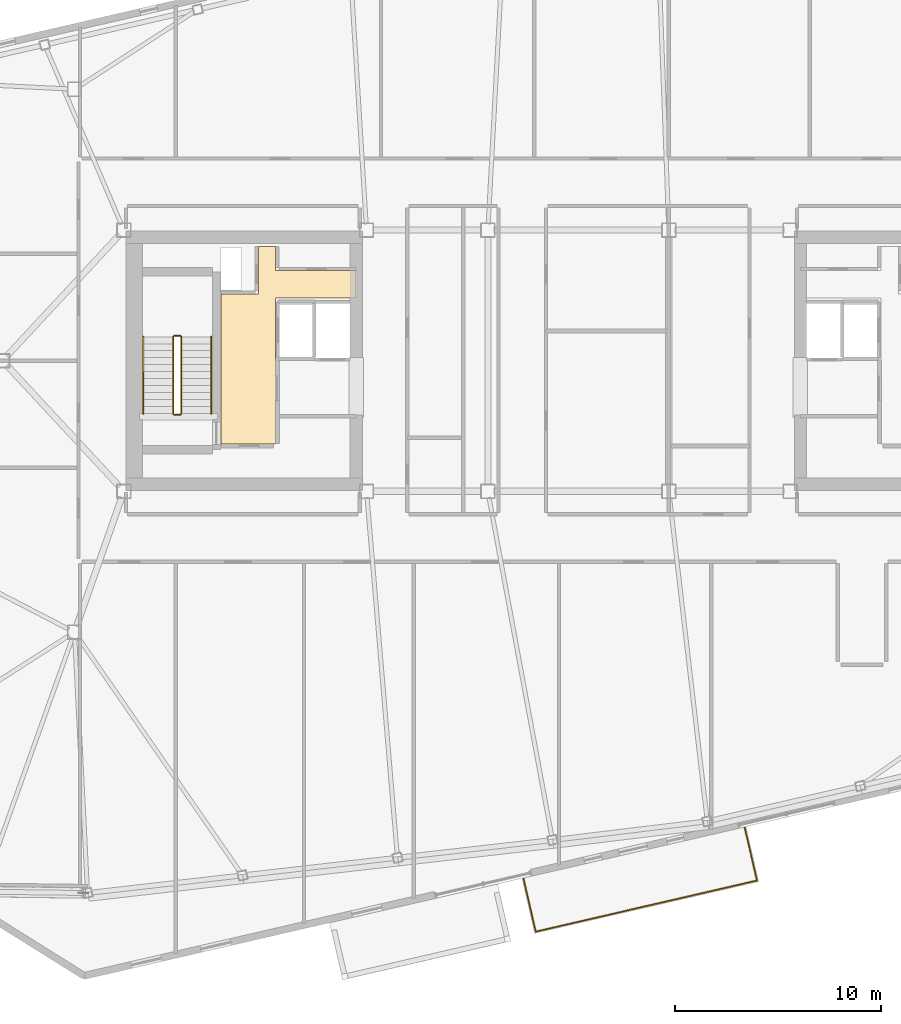
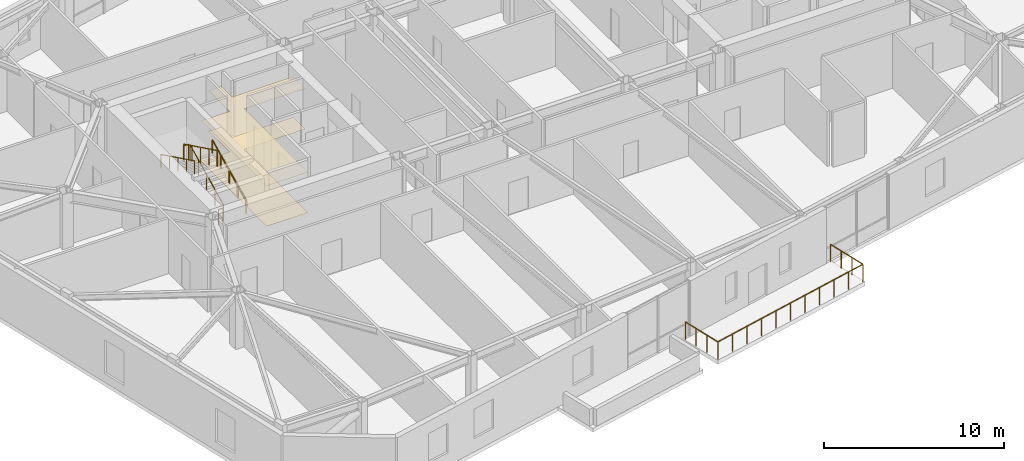
# One storey, part 22 of 23: 7 railings, 2 coverings.
"""IFC4 building model written with IfcOpenShell, lengths in metres."""

from ifc_helpers import new_model, si_unit, direction, frame, origin, origin_2d, place, context, subcontext, project, spatial, polyline, rectangle, outline, extrude, material, layer, layer_set, type_object, element, save


model = new_model("IFC4")

# Units and contexts
model_context = context("Model", 3, precision=1e-05, world=origin(), true_north=direction((0.0, 1.0)))
body_context = subcontext(model_context, "Body", "Model", "MODEL_VIEW")
ifc_project = project(units=[si_unit("LENGTHUNIT", "METRE"), si_unit("AREAUNIT", "SQUARE_METRE"), si_unit("VOLUMEUNIT", "CUBIC_METRE"), si_unit("PLANEANGLEUNIT", "RADIAN"), si_unit("MASSUNIT", "GRAM", prefix="KILO")], contexts=[model_context])

# Site, building, storey
site_placement = place(None, origin())
site = spatial("IfcSite", under=ifc_project, at=site_placement, CompositionType="ELEMENT")
building_placement = place(site_placement, origin())
building = spatial("IfcBuilding", under=site, at=building_placement, Name="Tavrogorsk Clinical Tower", CompositionType="ELEMENT")
storey_placement = place(building_placement, frame((0.0, 0.0, 289.0)))
storey = spatial("IfcBuildingStorey", under=building, at=storey_placement, Name="L67", CompositionType="ELEMENT", Elevation=289.0)

# Coverings
ifc_material_1 = material(Name="Antibacterial micro-perforated aluminium ceiling", Category="aluminium")
ifc_layer_1 = layer(ifc_material_1, 0.014892578125)
ifc_layer_set_1 = layer_set([ifc_layer_1], Name="Antibacterial micro-perforated aluminium ceiling")
covering_type_1 = type_object("IfcCoveringType", Name="ClinicalCeiling_15", PredefinedType="CEILING", material=ifc_layer_set_1)
covering_1_placement = place(storey_placement, frame((0.0, 0.0, 2.75)))
element("IfcCovering", 1, at=covering_1_placement, inside=storey, type_object=covering_type_1, Name="Core West Firefighting Lift Lobby Acoustic Ceiling", PredefinedType="CEILING", context=body_context, shape_type="SweptSolid", body=[
    extrude(outline(polyline([(-14.719970703125, 4.3798828125), (-10.800048828125, 4.3798828125), (-10.800048828125, 3.0400390625), (-14.719970703125, 3.0400390625), (-14.719970703125, -4.06005859375), (-17.3798828125, -4.06005859375), (-17.3798828125, 3.239990234375), (-15.56005859375, 3.239990234375), (-15.56005859375, 5.56005859375), (-14.719970703125, 5.56005859375), (-14.719970703125, 4.3798828125)])), origin(), (0.0, 0.0, 1.0), 0.014892578125),
])
ifc_material_2 = material(Name="Homogeneous medical conductive PVC flooring")
ifc_layer_2 = layer(ifc_material_2, 0.008056640625)
ifc_layer_set_2 = layer_set([ifc_layer_2], Name="Homogeneous medical conductive PVC flooring")
covering_type_2 = type_object("IfcCoveringType", Name="ResilientVinylFloor_8", PredefinedType="FLOORING", material=ifc_layer_set_2)
covering_2_placement = place(storey_placement, origin())
element("IfcCovering", 2, at=covering_2_placement, inside=storey, type_object=covering_type_2, Name="Core West Firefighting Lift Lobby Conductive Vinyl Flooring", PredefinedType="FLOORING", context=body_context, shape_type="SweptSolid", body=[
    extrude(outline(polyline([(-14.719970703125, 4.3798828125), (-10.800048828125, 4.3798828125), (-10.800048828125, 3.0400390625), (-14.719970703125, 3.0400390625), (-14.719970703125, -4.06005859375), (-17.3798828125, -4.06005859375), (-17.3798828125, 3.239990234375), (-15.56005859375, 3.239990234375), (-15.56005859375, 5.56005859375), (-14.719970703125, 5.56005859375), (-14.719970703125, 4.3798828125)])), origin(), (0.0, 0.0, 1.0), 0.008056640625),
])

# Railings
ifc_material_3 = material(Name="Galvanised steel S355 safety stairwell guard", Category="steel")
ifc_layer_3 = layer(ifc_material_3, 0.06005859375)
ifc_layer_set_3 = layer_set([ifc_layer_3], Name="Galvanised steel S355 safety stairwell guard")
railing_type_1 = type_object("IfcRailingType", Name="StairGuard_1150", PredefinedType="GUARDRAIL", material=ifc_layer_set_3)
railing_1_placement = place(storey_placement, frame((-19.300048828125, -2.574951171875, 0.166748046875)))
element("IfcRailing", 3, at=railing_1_placement, inside=storey, type_object=railing_type_1, Name="L67 ST-W stair guard 1", PredefinedType="GUARDRAIL", context=body_context, shape_type="SweptSolid", body=[
    extrude(rectangle(XDim=0.048095703125, YDim=0.048095703125, at=origin_2d()), frame((0.0, 0.0, 1.076171875), z_axis=(0.0, 0.897927990467, 0.440142390523), x_axis=(-1.0, 0.0, 0.0)), (0.0, 0.0, 1.0), 4.1650390625),
    extrude(rectangle(XDim=0.0419921875, YDim=0.0419921875, at=origin_2d()), origin(), (0.0, 0.0, 1.0), 1.052001953125),
    extrude(rectangle(XDim=0.0419921875, YDim=0.0419921875, at=origin_2d()), frame((0.0, 0.93505859375, 0.458251953125)), (0.0, 0.0, 1.0), 1.052001953125),
    extrude(rectangle(XDim=0.0419921875, YDim=0.0419921875, at=origin_2d()), frame((0.0, 1.8701171875, 0.91650390625)), (0.0, 0.0, 1.0), 1.052001953125),
    extrude(rectangle(XDim=0.0419921875, YDim=0.0419921875, at=origin_2d()), frame((0.0, 2.804931640625, 1.375)), (0.0, 0.0, 1.0), 1.052001953125),
    extrude(rectangle(XDim=0.0419921875, YDim=0.0419921875, at=origin_2d()), frame((0.0, 3.739990234375, 1.833251953125)), (0.0, 0.0, 1.0), 1.052001953125),
])
railing_2_placement = place(storey_placement, frame((-19.35009765625, 1.215087890625, 2.0)))
element("IfcRailing", 4, at=railing_2_placement, inside=storey, type_object=railing_type_1, Name="L67 ST-W stair guard 2", PredefinedType="GUARDRAIL", context=body_context, shape_type="SweptSolid", body=[
    extrude(rectangle(XDim=0.048095703125, YDim=0.048095703125, at=origin_2d()), frame((0.0, 0.0, 1.076171875), z_axis=(-1.0, 0.0, 0.0), x_axis=(0.0, -1.0, 0.0)), (0.0, 0.0, 1.0), 0.2998046875),
    extrude(rectangle(XDim=0.0419921875, YDim=0.0419921875, at=origin_2d()), origin(), (0.0, 0.0, 1.0), 1.052001953125),
    extrude(rectangle(XDim=0.0419921875, YDim=0.0419921875, at=origin_2d()), frame((-0.2998046875, 0.0, 0.0)), (0.0, 0.0, 1.0), 1.052001953125),
])
railing_3_placement = place(storey_placement, frame((-19.699951171875, 1.1650390625, 2.166748046875)))
element("IfcRailing", 5, at=railing_3_placement, inside=storey, type_object=railing_type_1, Name="L67 ST-W stair guard 3", PredefinedType="GUARDRAIL", context=body_context, shape_type="SweptSolid", body=[
    extrude(rectangle(XDim=0.048095703125, YDim=0.048095703125, at=origin_2d()), frame((0.0, 0.0, 1.076171875), z_axis=(0.0, -0.897927990467, 0.440142390523), x_axis=(1.0, 0.0, 0.0)), (0.0, 0.0, 1.0), 4.1650390625),
    extrude(rectangle(XDim=0.0419921875, YDim=0.0419921875, at=origin_2d()), origin(), (0.0, 0.0, 1.0), 1.052001953125),
    extrude(rectangle(XDim=0.0419921875, YDim=0.0419921875, at=origin_2d()), frame((0.0, -0.93505859375, 0.458251953125)), (0.0, 0.0, 1.0), 1.052001953125),
    extrude(rectangle(XDim=0.0419921875, YDim=0.0419921875, at=origin_2d()), frame((0.0, -1.8701171875, 0.91650390625)), (0.0, 0.0, 1.0), 1.052001953125),
    extrude(rectangle(XDim=0.0419921875, YDim=0.0419921875, at=origin_2d()), frame((0.0, -2.804931640625, 1.375)), (0.0, 0.0, 1.0), 1.052001953125),
    extrude(rectangle(XDim=0.0419921875, YDim=0.0419921875, at=origin_2d()), frame((0.0, -3.739990234375, 1.833251953125)), (0.0, 0.0, 1.0), 1.052001953125),
])
railing_4_placement = place(storey_placement, frame((-19.35009765625, -2.625, 0.0)))
element("IfcRailing", 6, at=railing_4_placement, inside=storey, type_object=railing_type_1, Name="L67 ST-W stair guard 4", PredefinedType="GUARDRAIL", context=body_context, shape_type="SweptSolid", body=[
    extrude(rectangle(XDim=0.048095703125, YDim=0.048095703125, at=origin_2d()), frame((0.0, 0.0, 1.076171875), z_axis=(-1.0, 0.0, 0.0), x_axis=(0.0, -1.0, 0.0)), (0.0, 0.0, 1.0), 0.2998046875),
    extrude(rectangle(XDim=0.0419921875, YDim=0.0419921875, at=origin_2d()), origin(), (0.0, 0.0, 1.0), 1.052001953125),
    extrude(rectangle(XDim=0.0419921875, YDim=0.0419921875, at=origin_2d()), frame((-0.2998046875, 0.0, 0.0)), (0.0, 0.0, 1.0), 1.052001953125),
])
ifc_material_4 = material(Name="Stainless steel AISI 304 tubular handrail", Category="steel")
ifc_layer_4 = layer(ifc_material_4, 0.050048828125)
ifc_layer_set_4 = layer_set([ifc_layer_4], Name="Stainless steel AISI 304 tubular handrail")
railing_type_2 = type_object("IfcRailingType", Name="StairHandrail_920", PredefinedType="HANDRAIL", material=ifc_layer_set_4)
railing_5_placement = place(storey_placement, frame((-17.85009765625, -2.574951171875, 0.166748046875)))
element("IfcRailing", 7, at=railing_5_placement, inside=storey, type_object=railing_type_2, Name="L67 ST-W stair handrail 1", PredefinedType="HANDRAIL", context=body_context, shape_type="SweptSolid", body=[
    extrude(rectangle(XDim=0.048095703125, YDim=0.048095703125, at=origin_2d()), frame((0.0, 0.0, 0.8759765625), z_axis=(0.0, 0.897927990467, 0.440142390523), x_axis=(-1.0, 0.0, 0.0)), (0.0, 0.0, 1.0), 4.1650390625),
    extrude(rectangle(XDim=0.0419921875, YDim=0.0419921875, at=origin_2d()), origin(), (0.0, 0.0, 1.0), 0.851806640625),
    extrude(rectangle(XDim=0.0419921875, YDim=0.0419921875, at=origin_2d()), frame((0.0, 0.93505859375, 0.458251953125)), (0.0, 0.0, 1.0), 0.851806640625),
    extrude(rectangle(XDim=0.0419921875, YDim=0.0419921875, at=origin_2d()), frame((0.0, 1.8701171875, 0.91650390625)), (0.0, 0.0, 1.0), 0.851806640625),
    extrude(rectangle(XDim=0.0419921875, YDim=0.0419921875, at=origin_2d()), frame((0.0, 2.804931640625, 1.375)), (0.0, 0.0, 1.0), 0.851806640625),
    extrude(rectangle(XDim=0.0419921875, YDim=0.0419921875, at=origin_2d()), frame((0.0, 3.739990234375, 1.833251953125)), (0.0, 0.0, 1.0), 0.851806640625),
])
railing_6_placement = place(storey_placement, frame((-21.14990234375, 1.1650390625, 2.166748046875)))
element("IfcRailing", 8, at=railing_6_placement, inside=storey, type_object=railing_type_2, Name="L67 ST-W stair handrail 2", PredefinedType="HANDRAIL", context=body_context, shape_type="SweptSolid", body=[
    extrude(rectangle(XDim=0.048095703125, YDim=0.048095703125, at=origin_2d()), frame((0.0, 0.0, 0.8759765625), z_axis=(0.0, -0.897927990467, 0.440142390523), x_axis=(1.0, 0.0, 0.0)), (0.0, 0.0, 1.0), 4.1650390625),
    extrude(rectangle(XDim=0.0419921875, YDim=0.0419921875, at=origin_2d()), origin(), (0.0, 0.0, 1.0), 0.851806640625),
    extrude(rectangle(XDim=0.0419921875, YDim=0.0419921875, at=origin_2d()), frame((0.0, -0.93505859375, 0.458251953125)), (0.0, 0.0, 1.0), 0.851806640625),
    extrude(rectangle(XDim=0.0419921875, YDim=0.0419921875, at=origin_2d()), frame((0.0, -1.8701171875, 0.91650390625)), (0.0, 0.0, 1.0), 0.851806640625),
    extrude(rectangle(XDim=0.0419921875, YDim=0.0419921875, at=origin_2d()), frame((0.0, -2.804931640625, 1.375)), (0.0, 0.0, 1.0), 0.851806640625),
    extrude(rectangle(XDim=0.0419921875, YDim=0.0419921875, at=origin_2d()), frame((0.0, -3.739990234375, 1.833251953125)), (0.0, 0.0, 1.0), 0.851806640625),
])
ifc_material_5 = material(Name="Stainless steel AISI 316 and laminated glass balustrade", Category="steel")
ifc_layer_5 = layer(ifc_material_5, 0.090087890625)
ifc_layer_set_5 = layer_set([ifc_layer_5], Name="Stainless steel AISI 316 and laminated glass balustrade")
railing_type_3 = type_object("IfcRailingType", Name="TerraceGuardRailing_1200", PredefinedType="BALUSTRADE", material=ifc_layer_set_5)
railing_7_placement = place(storey_placement, frame((-2.667724609375, -25.179443359375, 0.0)))
element("IfcRailing", 9, at=railing_7_placement, inside=storey, type_object=railing_type_3, Name="L67 Spiralling Terrace Balustrade GD-01", PredefinedType="BALUSTRADE", context=body_context, shape_type="SweptSolid", body=[
    extrude(rectangle(XDim=0.048095703125, YDim=0.048095703125, at=origin_2d()), frame((0.0, 0.0, 1.17578125), z_axis=(0.224980619228, -0.974363238721, 0.0), x_axis=(0.974363238721, 0.224980619228, 0.0)), (0.0, 0.0, 1.0), 2.64990234375),
    extrude(rectangle(XDim=0.048095703125, YDim=0.048095703125, at=origin_2d()), frame((0.59619140625, -2.58203125, 1.17578125), z_axis=(0.974371438286, 0.224945104974, 0.0), x_axis=(-0.224945104974, 0.974371438286, 0.0)), (0.0, 0.0, 1.0), 11.0400390625),
    extrude(rectangle(XDim=0.048095703125, YDim=0.048095703125, at=origin_2d()), frame((11.353271484375, -0.0986328125, 1.17578125), z_axis=(-0.224980619228, 0.974363238721, 0.0), x_axis=(-0.974363238721, -0.224980619228, 0.0)), (0.0, 0.0, 1.0), 2.64990234375),
    extrude(rectangle(XDim=0.0419921875, YDim=0.0419921875, at=origin_2d()), origin(), (0.0, 0.0, 1.0), 1.15185546875),
    extrude(rectangle(XDim=0.0419921875, YDim=0.0419921875, at=origin_2d()), frame((0.19873046875, -0.860595703125, 0.0)), (0.0, 0.0, 1.0), 1.15185546875),
    extrude(rectangle(XDim=0.0419921875, YDim=0.0419921875, at=origin_2d()), frame((0.3974609375, -1.721435546875, 0.0)), (0.0, 0.0, 1.0), 1.15185546875),
    extrude(rectangle(XDim=0.0419921875, YDim=0.0419921875, at=origin_2d()), frame((0.59619140625, -2.58203125, 0.0)), (0.0, 0.0, 1.0), 1.15185546875),
    extrude(rectangle(XDim=0.0419921875, YDim=0.0419921875, at=origin_2d()), frame((1.671875, -2.333740234375, 0.0)), (0.0, 0.0, 1.0), 1.15185546875),
    extrude(rectangle(XDim=0.0419921875, YDim=0.0419921875, at=origin_2d()), frame((2.74755859375, -2.08544921875, 0.0)), (0.0, 0.0, 1.0), 1.15185546875),
    extrude(rectangle(XDim=0.0419921875, YDim=0.0419921875, at=origin_2d()), frame((3.8232421875, -1.8369140625, 0.0)), (0.0, 0.0, 1.0), 1.15185546875),
    extrude(rectangle(XDim=0.0419921875, YDim=0.0419921875, at=origin_2d()), frame((4.89892578125, -1.588623046875, 0.0)), (0.0, 0.0, 1.0), 1.15185546875),
    extrude(rectangle(XDim=0.0419921875, YDim=0.0419921875, at=origin_2d()), frame((5.974609375, -1.34033203125, 0.0)), (0.0, 0.0, 1.0), 1.15185546875),
    extrude(rectangle(XDim=0.0419921875, YDim=0.0419921875, at=origin_2d()), frame((7.050537109375, -1.092041015625, 0.0)), (0.0, 0.0, 1.0), 1.15185546875),
    extrude(rectangle(XDim=0.0419921875, YDim=0.0419921875, at=origin_2d()), frame((8.126220703125, -0.84375, 0.0)), (0.0, 0.0, 1.0), 1.15185546875),
    extrude(rectangle(XDim=0.0419921875, YDim=0.0419921875, at=origin_2d()), frame((9.201904296875, -0.59521484375, 0.0)), (0.0, 0.0, 1.0), 1.15185546875),
    extrude(rectangle(XDim=0.0419921875, YDim=0.0419921875, at=origin_2d()), frame((10.277587890625, -0.346923828125, 0.0)), (0.0, 0.0, 1.0), 1.15185546875),
    extrude(rectangle(XDim=0.0419921875, YDim=0.0419921875, at=origin_2d()), frame((11.353271484375, -0.0986328125, 0.0)), (0.0, 0.0, 1.0), 1.15185546875),
    extrude(rectangle(XDim=0.0419921875, YDim=0.0419921875, at=origin_2d()), frame((11.154541015625, 0.761962890625, 0.0)), (0.0, 0.0, 1.0), 1.15185546875),
    extrude(rectangle(XDim=0.0419921875, YDim=0.0419921875, at=origin_2d()), frame((10.955810546875, 1.622802734375, 0.0)), (0.0, 0.0, 1.0), 1.15185546875),
    extrude(rectangle(XDim=0.0419921875, YDim=0.0419921875, at=origin_2d()), frame((10.757080078125, 2.4833984375, 0.0)), (0.0, 0.0, 1.0), 1.15185546875),
])

save(model, "model.ifc")
